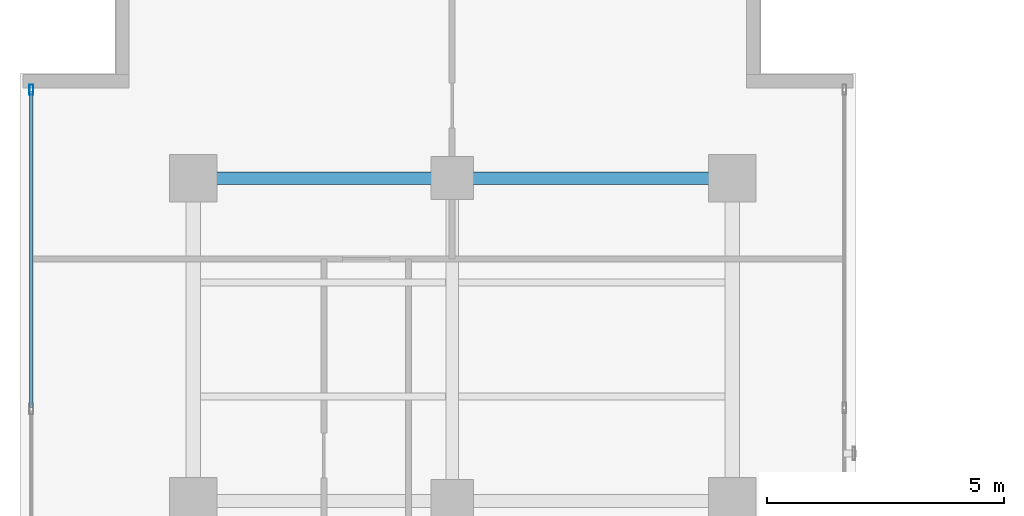
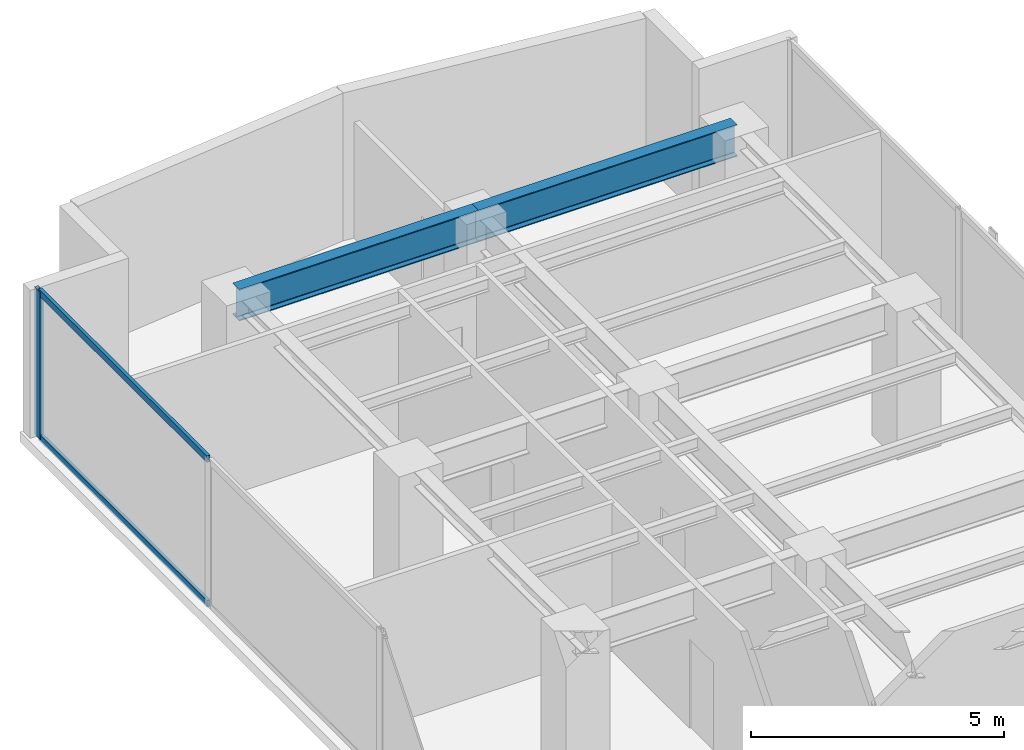
# One storey, part 14 of 22: 3 members, 2 beams, 1 element without a shape of its own.
"""IFC4 building model written with IfcOpenShell, lengths in metres."""

from ifc_helpers import new_model, si_unit, direction, frame, origin, origin_with_axes, origin_2d, place, context, subcontext, project, spatial, hollow_rectangle, i_section, extrude, source, transform, mapped, material, layer, layer_set, material_profile, profile_set, type_object, element, aggregate, save


model = new_model("IFC4")

# Units and contexts
model_context = context("Model", 3, precision=1e-05, world=origin(), true_north=direction((0.0, 1.0)))
body_context = subcontext(model_context, "Body", "Model", "MODEL_VIEW")
ifc_project = project(units=[si_unit("LENGTHUNIT", "METRE"), si_unit("AREAUNIT", "SQUARE_METRE"), si_unit("VOLUMEUNIT", "CUBIC_METRE"), si_unit("PLANEANGLEUNIT", "RADIAN"), si_unit("MASSUNIT", "GRAM", prefix="KILO")], contexts=[model_context])

# Site, building, storey
site_placement = place(None, origin())
site = spatial("IfcSite", under=ifc_project, at=site_placement, CompositionType="ELEMENT")
building_placement = place(site_placement, origin())
building = spatial("IfcBuilding", under=site, at=building_placement, Name="Kolvaren Waterfront Exchange", CompositionType="ELEMENT")
storey_placement = place(building_placement, frame((0.0, 0.0, 246.300048828125)))
storey = spatial("IfcBuildingStorey", under=building, at=storey_placement, Name="L63", CompositionType="ELEMENT", Elevation=246.300048828125)

# Beams
ifc_material_1 = material(Name="Steel S355", Category="steel")
ifc_material_profile_1 = material_profile(ifc_material_1, i_section(OverallWidth=0.26708984375, OverallDepth=0.761962890625, WebThickness=0.014404296875, FlangeThickness=0.021484375, FilletRadius=0.01708984375, at=origin_2d()), Name="IPE750x173")
ifc_profile_set_1 = profile_set([ifc_material_profile_1], Name="Steel S355")
beam_type = type_object("IfcBeamType", Name="STR-BM-IPE750", PredefinedType="BEAM", material=ifc_profile_set_1)
beam_1_placement = place(storey_placement, frame((7.449951171875, 44.60009765625, 3.178955078125), z_axis=(1.0, 0.0, 0.0), x_axis=(0.0, 1.0, 0.0)))
element("IfcBeam", 1, at=beam_1_placement, inside=storey, type_object=beam_type, Name="L63 north-arm girder 4A", PredefinedType="BEAM", context=body_context, shape_type="SweptSolid", body=[
    extrude(i_section(OverallWidth=0.26708984375, OverallDepth=0.761962890625, WebThickness=0.014404296875, FlangeThickness=0.021484375, FilletRadius=0.01708984375, at=origin_2d()), origin(), (0.0, 0.0, 1.0), 5.449951171875),
])
beam_2_placement = place(storey_placement, frame((12.89990234375, 44.60009765625, 3.178955078125), z_axis=(1.0, 0.0, 0.0), x_axis=(0.0, 1.0, 0.0)))
element("IfcBeam", 2, at=beam_2_placement, inside=storey, type_object=beam_type, Name="L63 north-arm girder 4B", PredefinedType="BEAM", context=body_context, shape_type="SweptSolid", body=[
    extrude(i_section(OverallWidth=0.26708984375, OverallDepth=0.761962890625, WebThickness=0.014404296875, FlangeThickness=0.021484375, FilletRadius=0.01708984375, at=origin_2d()), origin(), (0.0, 0.0, 1.0), 5.900146484375),
])

# Curtain wall, members
ifc_material_2 = material(Name="Anodised aluminium 6063-T6", Category="aluminium")
ifc_layer = layer(ifc_material_2, 0.219970703125, Name="Anodised aluminium 6063-T6")
ifc_layer_set = layer_set([ifc_layer], Name="Anodised aluminium 6063-T6")
curtain_wall_type = type_object("IfcCurtainWallType", Name="ARC-CW-SYS2", PredefinedType="USERDEFINED", material=ifc_layer_set)
curtain_wall_placement = place(storey_placement, origin())
curtain_wall = element("IfcCurtainWall", 3, at=curtain_wall_placement, inside=storey, type_object=curtain_wall_type, Name="L63 stick curtain wall CW2 (CW-L63-W)", ObjectType="STICK CURTAIN WALL", PredefinedType="USERDEFINED")
ifc_material_profile_2 = material_profile(ifc_material_2, hollow_rectangle(XDim=0.080078125, YDim=0.219970703125, WallThickness=0.0048828125, at=origin_2d()), Name="ALU-MUL-220x80x5")
ifc_profile_set_2 = profile_set([ifc_material_profile_2], Name="Anodised aluminium 6063-T6")
member_type_1 = type_object("IfcMemberType", Name="ARC-CWM-220", PredefinedType="MULLION", material=ifc_profile_set_2)
shared_shape_1 = source(origin_with_axes(), body_context, "Body", "SweptSolid", [
    extrude(hollow_rectangle(XDim=0.080078125, YDim=0.219970703125, WallThickness=0.0048828125, at=origin_2d()), origin(), (0.0, 0.0, 1.0), 3.56005859375),
])
member_1_placement = place(storey_placement, frame((4.0400390625, 46.4599609375, 0.0), z_axis=(0.0, 0.0, 1.0), x_axis=(-1.0, 0.0, 0.0)))
member_1 = element("IfcMember", 4, at=member_1_placement, type_object=member_type_1, Name="CW2 mullion 7", PredefinedType="MULLION", context=body_context, shape_type="MappedRepresentation", body=[
    mapped(shared_shape_1, transform((0.0, 0.0, 0.0), x_axis=(1.0, 0.0, 0.0), y_axis=(0.0, 1.0, 0.0), z_axis=(0.0, 0.0, 1.0), scale=1.0)),
])
ifc_material_profile_3 = material_profile(ifc_material_2, hollow_rectangle(XDim=0.074951171875, YDim=0.159912109375, WallThickness=0.00439453125, at=origin_2d()), Name="ALU-TRN-160x75x4.5")
ifc_profile_set_3 = profile_set([ifc_material_profile_3], Name="Anodised aluminium 6063-T6")
member_type_2 = type_object("IfcMemberType", Name="ARC-CWT-160", PredefinedType="USERDEFINED", material=ifc_profile_set_3)
shared_shape_2 = source(origin_with_axes(), body_context, "Body", "SweptSolid", [
    extrude(hollow_rectangle(XDim=0.074951171875, YDim=0.159912109375, WallThickness=0.00439453125, at=origin_2d()), origin(), (0.0, 0.0, 1.0), 6.646484375),
])
member_2_placement = place(storey_placement, frame((4.0400390625, 39.7734375, 0.037353515625), z_axis=(0.0, 1.0, 0.0), x_axis=(-1.0, 0.0, 0.0)))
member_2 = element("IfcMember", 5, at=member_2_placement, type_object=member_type_2, Name="CW2 transom 6.1", ObjectType="TRANSOM", PredefinedType="USERDEFINED", context=body_context, shape_type="MappedRepresentation", body=[
    mapped(shared_shape_2, transform((0.0, 0.0, 0.0), x_axis=(1.0, 0.0, 0.0), y_axis=(0.0, 1.0, 0.0), z_axis=(0.0, 0.0, 1.0), scale=1.0)),
])
member_3_placement = place(storey_placement, frame((4.0400390625, 39.7734375, 3.5224609375), z_axis=(0.0, 1.0, 0.0), x_axis=(-1.0, 0.0, 0.0)))
member_3 = element("IfcMember", 6, at=member_3_placement, type_object=member_type_2, Name="CW2 transom 6.2", ObjectType="TRANSOM", PredefinedType="USERDEFINED", context=body_context, shape_type="MappedRepresentation", body=[
    mapped(shared_shape_2, transform((0.0, 0.0, 0.0), x_axis=(1.0, 0.0, 0.0), y_axis=(0.0, 1.0, 0.0), z_axis=(0.0, 0.0, 1.0), scale=1.0)),
])
aggregate(curtain_wall, [member_1, member_2, member_3])

save(model, "model.ifc")
